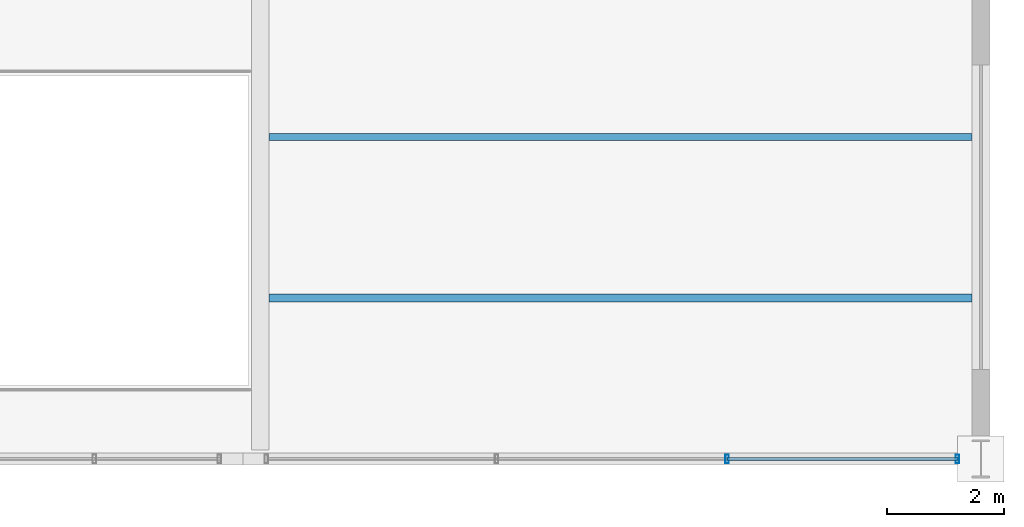
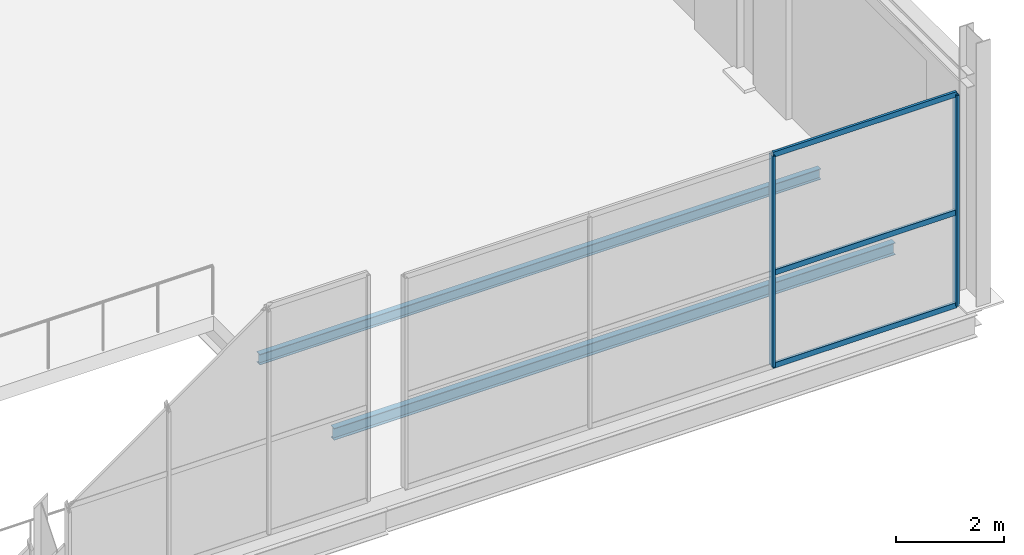
# One storey, part 86 of 144: 5 members, 2 beams, 1 element without a shape of its own.
"""IFC4 building model written with IfcOpenShell, lengths in metres."""

import ifcopenshell
import ifcopenshell.guid

model = None  # the IFC model being written
_history = None  # IfcOwnerHistory: only IFC2X3 demands one
_inside = {}  # id of a spatial element -> (the spatial element, [elements in it])
_under = {}  # id of a project, library or spatial element -> (it, [spatial elements below it])
_declared = {}  # id of a project -> (the project, [libraries it declares])
_typed = {}  # id of a type object -> (the type object, [elements of that type])
_made_of = {}  # id of a material, layer set ... -> (it, [elements and type objects made of it])


def new_model(schema):
    """Start an empty IFC model of exactly this schema.

    Asked for "IFC4X3", IfcOpenShell would pick the latest addendum, in which some entities
    have other attributes; the version numbers below select the first issue.
    IFC2X3 requires an IfcOwnerHistory on every rooted entity: one is made here for all.
    """
    global model, _history
    if schema == "IFC4X3":
        model = ifcopenshell.file(schema_version=(4, 3, 0, 0))
    else:
        model = ifcopenshell.file(schema=schema)
    _inside.clear()
    _under.clear()
    _declared.clear()
    _typed.clear()
    _made_of.clear()
    _history = None
    if model.schema == "IFC2X3":
        org = make("IfcOrganization", Name="unknown")
        user = make(
            "IfcPersonAndOrganization",
            ThePerson=make("IfcPerson", FamilyName="unknown"),
            TheOrganization=org,
        )
        app = make(
            "IfcApplication",
            ApplicationDeveloper=org,
            Version="unknown",
            ApplicationFullName="unknown",
            ApplicationIdentifier="unknown",
        )
        _history = make(
            "IfcOwnerHistory",
            OwningUser=user,
            OwningApplication=app,
            ChangeAction="ADDED",
            CreationDate=0,
        )
    return model


def make(cls, **values):
    """One entity of the class cls with the attributes given. An attribute that is None is left unset."""
    return model.create_entity(
        cls, **{name: value for name, value in values.items() if value is not None}
    )


def rooted(cls, **values):
    """An entity with a GlobalId (a new one), such as an element, a storey or a relation."""
    return make(cls, GlobalId=ifcopenshell.guid.new(), OwnerHistory=_history, **values)


def si_unit(unit_type, name, prefix=None):
    """IfcSIUnit, for example si_unit("LENGTHUNIT", "METRE", prefix="MILLI")."""
    return make("IfcSIUnit", UnitType=unit_type, Prefix=prefix, Name=name)


def assignment(units):
    """IfcUnitAssignment: the units of a project."""
    return None if units is None else make("IfcUnitAssignment", Units=units)


def point(xyz):
    """IfcCartesianPoint."""
    return None if xyz is None else make("IfcCartesianPoint", Coordinates=xyz)


def direction(xyz):
    """IfcDirection."""
    return None if xyz is None else make("IfcDirection", DirectionRatios=xyz)


def frame(location, z_axis=None, x_axis=None):
    """IfcAxis2Placement3D, a coordinate frame: its origin and axes. An axis left out is left unset."""
    return make(
        "IfcAxis2Placement3D",
        Location=point(location),
        Axis=direction(z_axis),
        RefDirection=direction(x_axis),
    )


def frame_2d(location, x_axis=None):
    """IfcAxis2Placement2D, a coordinate frame in the plane: its origin and x axis."""
    return make(
        "IfcAxis2Placement2D", Location=point(location), RefDirection=direction(x_axis)
    )


def origin():
    """The frame at (0, 0, 0) with its axes left unset."""
    return frame((0.0, 0.0, 0.0))


def origin_2d():
    """The frame at (0, 0) in the plane with its x axis left unset."""
    return frame_2d((0.0, 0.0))


def place(relative_to, where):
    """IfcLocalPlacement: puts the frame where relative to a parent placement (None: the world)."""
    return make(
        "IfcLocalPlacement", PlacementRelTo=relative_to, RelativePlacement=where
    )


def context(
    kind, dimensions, precision=None, world=None, true_north=None, identifier=None
):
    """IfcGeometricRepresentationContext, for example the 3D "Model" context."""
    return make(
        "IfcGeometricRepresentationContext",
        ContextIdentifier=identifier,
        ContextType=kind,
        CoordinateSpaceDimension=dimensions,
        Precision=precision,
        WorldCoordinateSystem=world,
        TrueNorth=true_north,
    )


def subcontext(parent, identifier, kind, view, scale=None):
    """IfcGeometricRepresentationSubContext, for example "Body" below "Model"."""
    return make(
        "IfcGeometricRepresentationSubContext",
        ContextIdentifier=identifier,
        ContextType=kind,
        ParentContext=parent,
        TargetScale=scale,
        TargetView=view,
    )


def project(units=None, contexts=None):
    """IfcProject with its units and contexts."""
    return rooted(
        "IfcProject",
        Name="project",
        RepresentationContexts=contexts,
        UnitsInContext=assignment(units),
    )


def spatial(cls, under=None, at=None, **own):
    """A site, building, storey or space (cls), placed at a placement, below another one or the project."""
    s = rooted(cls, ObjectPlacement=at, **own)
    if under is not None:
        _under.setdefault(under.id(), (under, []))[1].append(s)
    return s


def profile(cls, at=None, kind="AREA", **sizes):
    """A parametric profile (cls). Its sizes go by their IFC names, for example OverallWidth=200.0."""
    return make(cls, ProfileType=kind, Position=at, **sizes)


def hollow_rectangle(**sizes):
    """IfcRectangleHollowProfileDef."""
    return profile("IfcRectangleHollowProfileDef", **sizes)


def i_section(**sizes):
    """IfcIShapeProfileDef."""
    return profile("IfcIShapeProfileDef", **sizes)


def extrude(swept, where, along, depth):
    """IfcExtrudedAreaSolid: the profile swept, set in the frame where, extruded along a direction by depth."""
    return make(
        "IfcExtrudedAreaSolid",
        SweptArea=swept,
        Position=where,
        ExtrudedDirection=direction(along),
        Depth=depth,
    )


def shape(context_of_items, identifier, shape_type, items):
    """IfcShapeRepresentation: the items that make up one representation, for example the "Body"."""
    return make(
        "IfcShapeRepresentation",
        ContextOfItems=context_of_items,
        RepresentationIdentifier=identifier,
        RepresentationType=shape_type,
        Items=items,
    )


def material(Name=None, Category=None):
    """IfcMaterial."""
    return make("IfcMaterial", Name=Name, Category=Category)


def layer(
    of_material, thickness, ventilated=None, Name=None, Category=None, Priority=None
):
    """IfcMaterialLayer: one layer of a wall or slab, of a material (None: an air gap)."""
    return make(
        "IfcMaterialLayer",
        Material=of_material,
        LayerThickness=thickness,
        IsVentilated=ventilated,
        Name=Name,
        Category=Category,
        Priority=Priority,
    )


def layer_set(layers, Name=None):
    """IfcMaterialLayerSet."""
    return make("IfcMaterialLayerSet", MaterialLayers=layers, LayerSetName=Name)


def material_profile(
    of_material, cross_section, Name=None, Category=None, Priority=None
):
    """IfcMaterialProfile: a cross section and its material."""
    return make(
        "IfcMaterialProfile",
        Name=Name,
        Material=of_material,
        Profile=cross_section,
        Priority=Priority,
        Category=Category,
    )


def profile_set(profiles, Name=None, composite=None):
    """IfcMaterialProfileSet."""
    return make(
        "IfcMaterialProfileSet",
        Name=Name,
        MaterialProfiles=profiles,
        CompositeProfile=composite,
    )


def made_of(thing, what):
    """Note that an element or type object is made of a material, layer set ...; save() writes the relation."""
    if what is not None:
        _made_of.setdefault(what.id(), (what, []))[1].append(thing)
    return thing


def type_object(cls, material=None, **own):
    """A type object (cls), such as IfcWallType, which elements share."""
    return made_of(rooted(cls, **own), material)


def element(
    cls,
    number,
    at=None,
    inside=None,
    cuts=None,
    type_object=None,
    material=None,
    context=None,
    identifier="Body",
    shape_type=None,
    held_by="IfcProductDefinitionShape",
    body=None,
    shapes=None,
    **own,
):
    """One element of the class cls, such as IfcWall. Its Tag is "e" and its number.

    at: its placement. inside: the storey or other place that contains it. cuts: it is an
    opening in that element (IfcRelVoidsElement). A single representation is given by context,
    identifier, shape_type and body (its items); several are given by shapes. held_by: the class
    of the entity that holds the representations. save() writes the other relations.
    """
    e = rooted(cls, Tag="e%d" % number, ObjectPlacement=at, **own)
    if body is not None:
        shapes = [shape(context, identifier, shape_type, body)]
    if shapes is not None:
        e.Representation = make(held_by, Representations=shapes)
    if inside is not None:
        _inside.setdefault(inside.id(), (inside, []))[1].append(e)
    if cuts is not None:
        rooted(
            "IfcRelVoidsElement", RelatingBuildingElement=cuts, RelatedOpeningElement=e
        )
    if type_object is not None:
        _typed.setdefault(type_object.id(), (type_object, []))[1].append(e)
    return made_of(e, material)


def aggregate(whole, parts):
    """IfcRelAggregates: a whole, such as a stair, and the parts it consists of."""
    return rooted("IfcRelAggregates", RelatingObject=whole, RelatedObjects=parts)


def save(model, path):
    """Write the relations noted so far, then the file.

    IfcRelAggregates (storeys below a building ...), IfcRelContainedInSpatialStructure (elements
    in a storey), IfcRelDefinesByType, IfcRelAssociatesMaterial and IfcRelDeclares: one each for
    every whole, place, type object, material and project.
    """
    for whole, parts in _under.values():
        aggregate(whole, parts)
    for where, things in _inside.values():
        rooted(
            "IfcRelContainedInSpatialStructure",
            RelatedElements=things,
            RelatingStructure=where,
        )
    for kind, things in _typed.values():
        rooted("IfcRelDefinesByType", RelatedObjects=things, RelatingType=kind)
    for what, things in _made_of.values():
        rooted("IfcRelAssociatesMaterial", RelatedObjects=things, RelatingMaterial=what)
    for by, libraries in _declared.values():
        rooted("IfcRelDeclares", RelatingContext=by, RelatedDefinitions=libraries)
    model.write(path)


model = new_model("IFC4")

# Units and contexts
model_context = context("Model", 3, precision=1e-05, world=origin(), true_north=direction((0.0, 1.0)))
body_context = subcontext(model_context, "Body", "Model", "MODEL_VIEW")
ifc_project = project(units=[si_unit("LENGTHUNIT", "METRE"), si_unit("AREAUNIT", "SQUARE_METRE"), si_unit("VOLUMEUNIT", "CUBIC_METRE"), si_unit("PLANEANGLEUNIT", "RADIAN"), si_unit("MASSUNIT", "GRAM", prefix="KILO")], contexts=[model_context])

# Site, building, storey
site_placement = place(None, origin())
site = spatial("IfcSite", under=ifc_project, at=site_placement, CompositionType="ELEMENT")
building_placement = place(site_placement, origin())
building = spatial("IfcBuilding", under=site, at=building_placement, Name="Sundgate Opera House", CompositionType="ELEMENT")
storey_placement = place(building_placement, origin())
storey = spatial("IfcBuildingStorey", under=building, at=storey_placement, Name="L00", CompositionType="ELEMENT", Elevation=0.0)

# Beams
ifc_material_1 = material(Name="Steel S355J2", Category="steel")
ifc_material_profile_1 = material_profile(ifc_material_1, i_section(OverallWidth=0.1201171875, OverallDepth=0.239990234375, WebThickness=0.006103515625, FlangeThickness=0.009765625, at=origin_2d()), Name="IPE 240")
ifc_profile_set_1 = profile_set([ifc_material_profile_1], Name="Steel S355J2")
beam_type_1 = type_object("IfcBeamType", Name="BM-JS-IPE240", PredefinedType="JOIST", material=ifc_profile_set_1)
beam_1_placement = place(storey_placement, frame((167.85009765625, 5.5, -0.43994140625), z_axis=(1.0, 0.0, 0.0), x_axis=(0.0, 1.0, 0.0)))
element("IfcBeam", 1, at=beam_1_placement, inside=storey, type_object=beam_type_1, Name="L00 Secondary Floor Joist B0622", PredefinedType="JOIST", context=body_context, shape_type="SweptSolid", body=[
    extrude(i_section(OverallWidth=0.1201171875, OverallDepth=0.239990234375, WebThickness=0.006103515625, FlangeThickness=0.009765625, at=origin_2d()), origin(), (0.0, 0.0, 1.0), 12.0),
])
ifc_material_2 = material(Name="Steel S355J2", Category="steel")
ifc_material_profile_2 = material_profile(ifc_material_2, i_section(OverallWidth=0.135009765625, OverallDepth=0.27001953125, WebThickness=0.006591796875, FlangeThickness=0.01025390625, at=origin_2d()), Name="IPE 270")
ifc_profile_set_2 = profile_set([ifc_material_profile_2], Name="Steel S355J2")
beam_type_2 = type_object("IfcBeamType", Name="BM-JS-IPE270", PredefinedType="JOIST", material=ifc_profile_set_2)
beam_2_placement = place(storey_placement, frame((167.85009765625, 2.75, -0.455078125), z_axis=(1.0, 0.0, 0.0), x_axis=(0.0, 1.0, 0.0)))
element("IfcBeam", 2, at=beam_2_placement, inside=storey, type_object=beam_type_2, Name="L00 Secondary Floor Joist B0621", PredefinedType="JOIST", context=body_context, shape_type="SweptSolid", body=[
    extrude(i_section(OverallWidth=0.135009765625, OverallDepth=0.27001953125, WebThickness=0.006591796875, FlangeThickness=0.01025390625, at=origin_2d()), origin(), (0.0, 0.0, 1.0), 12.0),
])

# Curtain wall, members
ifc_material_3 = material(Name="Anodized aluminium and low-iron glass", Category="aluminium")
ifc_layer = layer(ifc_material_3, 0.14990234375)
ifc_layer_set = layer_set([ifc_layer], Name="Anodized aluminium and low-iron glass")
curtain_wall_type = type_object("IfcCurtainWallType", Name="CW-WORKSHOP-DARK", PredefinedType="NOTDEFINED", material=ifc_layer_set)
curtain_wall_placement = place(storey_placement, origin())
curtain_wall = element("IfcCurtainWall", 3, at=curtain_wall_placement, inside=storey, type_object=curtain_wall_type, Name="L00 Curtain Wall CW130", PredefinedType="NOTDEFINED")
ifc_material_4 = material(Name="Anodized aluminium EN AW-6063", Category="aluminium")
ifc_material_profile_3 = material_profile(ifc_material_4, hollow_rectangle(XDim=0.06005859375, YDim=0.14990234375, WallThickness=0.00390625, at=origin_2d()), Name="CWM 150x60x4")
ifc_profile_set_3 = profile_set([ifc_material_profile_3], Name="Anodized aluminium EN AW-6063")
member_type_1 = type_object("IfcMemberType", Name="CWM-ALU-150x60", PredefinedType="MULLION", material=ifc_profile_set_3)
member_1_placement = place(storey_placement, frame((179.60009765625, 0.0, 0.0), z_axis=(0.0, 0.0, 1.0), x_axis=(1.0, 0.0, 0.0)))
member_1 = element("IfcMember", 4, at=member_1_placement, type_object=member_type_1, Name="CW130 Mullion 1", PredefinedType="MULLION", context=body_context, shape_type="SweptSolid", body=[
    extrude(hollow_rectangle(XDim=0.06005859375, YDim=0.14990234375, WallThickness=0.00390625, at=origin_2d()), origin(), (0.0, 0.0, 1.0), 4.77001953125),
])
member_2_placement = place(storey_placement, frame((175.666748046875, 0.0, 0.0), z_axis=(0.0, 0.0, 1.0), x_axis=(1.0, 0.0, 0.0)))
member_2 = element("IfcMember", 5, at=member_2_placement, type_object=member_type_1, Name="CW130 Mullion 2", PredefinedType="MULLION", context=body_context, shape_type="SweptSolid", body=[
    extrude(hollow_rectangle(XDim=0.06005859375, YDim=0.14990234375, WallThickness=0.00390625, at=origin_2d()), origin(), (0.0, 0.0, 1.0), 4.77001953125),
])
ifc_material_5 = material(Name="Anodized aluminium EN AW-6063", Category="aluminium")
ifc_material_profile_4 = material_profile(ifc_material_5, hollow_rectangle(XDim=0.054931640625, YDim=0.1201171875, WallThickness=0.00390625, at=origin_2d()), Name="CWT 120x55x4")
ifc_profile_set_4 = profile_set([ifc_material_profile_4], Name="Anodized aluminium EN AW-6063")
member_type_2 = type_object("IfcMemberType", Name="CWT-ALU-120x55", PredefinedType="USERDEFINED", material=ifc_profile_set_4)
member_3_placement = place(storey_placement, frame((179.60009765625, 0.0, 0.0), z_axis=(-1.0, 0.0, 0.0), x_axis=(0.0, -1.0, 0.0)))
member_3 = element("IfcMember", 6, at=member_3_placement, type_object=member_type_2, Name="CW130 Transom 1", ObjectType="TRANSOM", PredefinedType="USERDEFINED", context=body_context, shape_type="SweptSolid", body=[
    extrude(hollow_rectangle(XDim=0.054931640625, YDim=0.1201171875, WallThickness=0.00390625, at=origin_2d()), origin(), (0.0, 0.0, 1.0), 3.933349609375),
])
member_4_placement = place(storey_placement, frame((179.60009765625, 0.0, 2.10009765625), z_axis=(-1.0, 0.0, 0.0), x_axis=(0.0, -1.0, 0.0)))
member_4 = element("IfcMember", 7, at=member_4_placement, type_object=member_type_2, Name="CW130 Transom 2", ObjectType="TRANSOM", PredefinedType="USERDEFINED", context=body_context, shape_type="SweptSolid", body=[
    extrude(hollow_rectangle(XDim=0.054931640625, YDim=0.1201171875, WallThickness=0.00390625, at=origin_2d()), origin(), (0.0, 0.0, 1.0), 3.933349609375),
])
member_5_placement = place(storey_placement, frame((179.60009765625, 0.0, 4.77001953125), z_axis=(-1.0, 0.0, 0.0), x_axis=(0.0, -1.0, 0.0)))
member_5 = element("IfcMember", 8, at=member_5_placement, type_object=member_type_2, Name="CW130 Transom 3", ObjectType="TRANSOM", PredefinedType="USERDEFINED", context=body_context, shape_type="SweptSolid", body=[
    extrude(hollow_rectangle(XDim=0.054931640625, YDim=0.1201171875, WallThickness=0.00390625, at=origin_2d()), origin(), (0.0, 0.0, 1.0), 3.933349609375),
])
aggregate(curtain_wall, [member_1, member_2, member_3, member_4, member_5])

save(model, "model.ifc")
